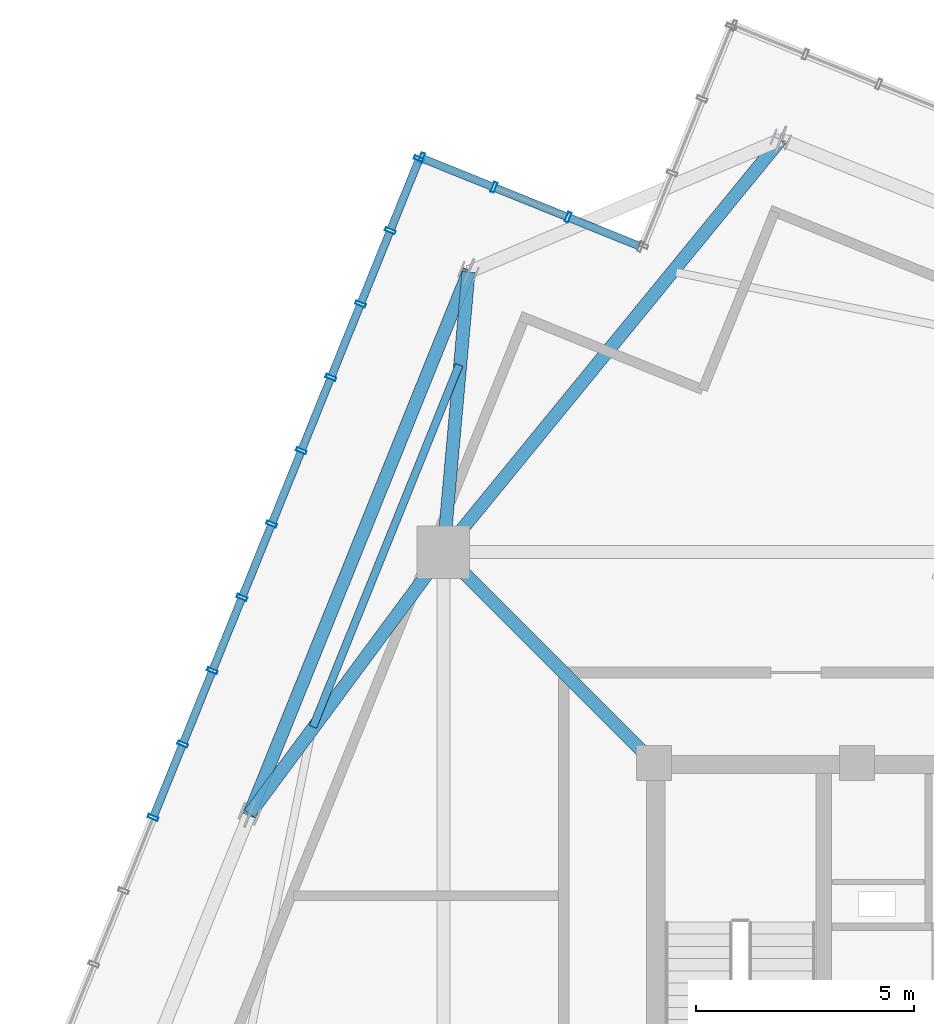
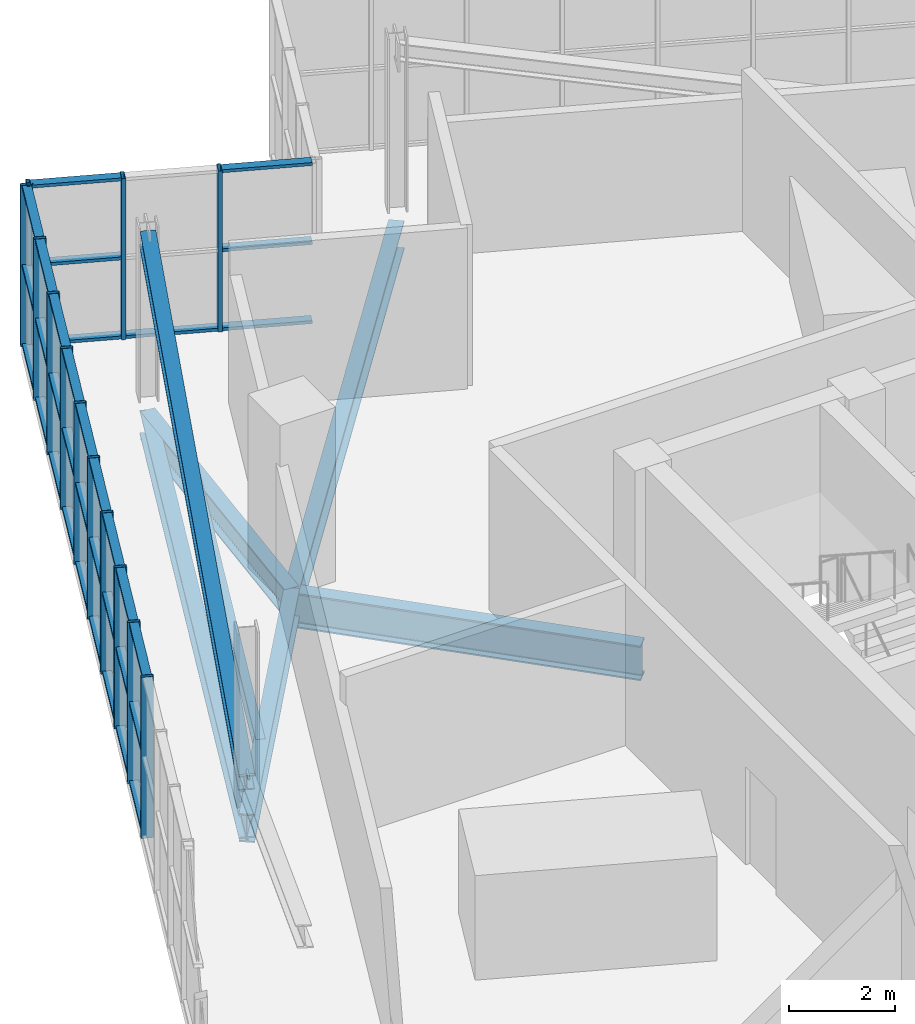
# One storey, part 12 of 26: 48 members, 6 beams, 2 elements without a shape of their own.
"""IFC4 building model written with IfcOpenShell, lengths in metres."""

from ifc_helpers import new_model, si_unit, direction, frame, origin, origin_2d, place, context, subcontext, project, spatial, hollow_rectangle, i_section, extrude, source, transform, mapped, material, layer, layer_set, material_profile, profile_set, type_object, element, aggregate, save


model = new_model("IFC4")

# Units and contexts
model_context = context("Model", 3, precision=1e-05, world=origin(), true_north=direction((0.0, 1.0)))
body_context = subcontext(model_context, "Body", "Model", "MODEL_VIEW")
ifc_project = project(units=[si_unit("LENGTHUNIT", "METRE"), si_unit("AREAUNIT", "SQUARE_METRE"), si_unit("VOLUMEUNIT", "CUBIC_METRE"), si_unit("PLANEANGLEUNIT", "RADIAN"), si_unit("MASSUNIT", "GRAM", prefix="KILO"), si_unit("THERMODYNAMICTEMPERATUREUNIT", "KELVIN")], contexts=[model_context])

# Site, building, storey
site_placement = place(None, origin())
site = spatial("IfcSite", under=ifc_project, at=site_placement, CompositionType="ELEMENT")
building_placement = place(site_placement, origin())
building = spatial("IfcBuilding", under=site, at=building_placement, Name="Kosmvard Interchange Tower", CompositionType="ELEMENT")
storey_placement = place(building_placement, frame((0.0, 0.0, 325.60009765625)))
storey = spatial("IfcBuildingStorey", under=building, at=storey_placement, Name="L80", CompositionType="ELEMENT", Elevation=325.60009765625)

# Beam
ifc_material_1 = material(Name="Steel S355", Category="steel")
ifc_material_profile_1 = material_profile(ifc_material_1, i_section(OverallWidth=0.300048828125, OverallDepth=0.800048828125, WebThickness=0.017578125, FlangeThickness=0.032958984375, FilletRadius=0.027099609375, at=origin_2d()), Name="HEB 800")
ifc_profile_set_1 = profile_set([ifc_material_profile_1], Name="Steel S355")
beam_type_1 = type_object("IfcBeamType", Name="Primary Mega-Frame Girder HEB 800 S355", PredefinedType="BEAM", material=ifc_profile_set_1)
shared_shape_1 = source(origin(), body_context, "Body", "SweptSolid", [
    extrude(i_section(OverallWidth=0.300048828125, OverallDepth=0.800048828125, WebThickness=0.017578125, FlangeThickness=0.032958984375, FilletRadius=0.027099609375, at=origin_2d()), origin(), (0.0, 0.0, 1.0), 6.83203125),
])
beam_1_placement = place(storey_placement, frame((-8.25, 8.25, -0.7001953125), z_axis=(-0.707106781187, 0.707106781187, 0.0), x_axis=(-0.707106781187, -0.707106781187, 0.0)))
element("IfcBeam", 1, at=beam_1_placement, inside=storey, type_object=beam_type_1, Name="L80 Radial Mega-Frame Girder 4", PredefinedType="BEAM", context=body_context, shape_type="MappedRepresentation", body=[
    mapped(shared_shape_1, transform((0.0, 0.0, 0.0), scale=1.0)),
])

# Member
ifc_material_profile_2 = material_profile(ifc_material_1, i_section(OverallWidth=0.300048828125, OverallDepth=0.39990234375, WebThickness=0.013427734375, FlangeThickness=0.02392578125, FilletRadius=0.027099609375, at=origin_2d()), Name="HEB 400")
ifc_profile_set_2 = profile_set([ifc_material_profile_2], Name="Steel S355")
member_type_1 = type_object("IfcMemberType", Name="Lantern Crown Diagrid Brace HEB 400 S355", PredefinedType="BRACE", material=ifc_profile_set_2)
shared_shape_2 = source(origin(), body_context, "Body", "SweptSolid", [
    extrude(i_section(OverallWidth=0.300048828125, OverallDepth=0.39990234375, WebThickness=0.013427734375, FlangeThickness=0.02392578125, FilletRadius=0.027099609375, at=origin_2d()), origin(), (0.0, 0.0, 1.0), 13.78369140625),
])
member_1_placement = place(storey_placement, frame((-17.523681640625, 7.080078125, 0.419921875), z_axis=(0.364162635972, 0.901373372792, 0.234332279859), x_axis=(-0.927189515839, 0.374592580972, 0.0)))
element("IfcMember", 2, at=member_1_placement, inside=storey, type_object=member_type_1, Name="L80 Crown Lantern Diagrid Brace N1", PredefinedType="BRACE", context=body_context, shape_type="MappedRepresentation", body=[
    mapped(shared_shape_2, transform((0.0, 0.0, 0.0), scale=1.0)),
])

# Beams
ifc_material_profile_3 = material_profile(ifc_material_1, i_section(OverallWidth=0.300048828125, OverallDepth=0.550048828125, WebThickness=0.014892578125, FlangeThickness=0.029052734375, FilletRadius=0.027099609375, at=origin_2d()), Name="HEB 550")
ifc_profile_set_3 = profile_set([ifc_material_profile_3], Name="Steel S355")
beam_type_2 = type_object("IfcBeamType", Name="Crown Ring Cap Girder HEB 550 S355", PredefinedType="BEAM", material=ifc_profile_set_3)
shared_shape_3 = source(origin(), body_context, "Body", "SweptSolid", [
    extrude(i_section(OverallWidth=0.300048828125, OverallDepth=0.550048828125, WebThickness=0.014892578125, FlangeThickness=0.029052734375, FilletRadius=0.027099609375, at=origin_2d()), origin(), (0.0, 0.0, 1.0), 13.39990234375),
])
beam_2_placement = place(storey_placement, frame((-12.504150390625, 19.50439453125, -0.5751953125), z_axis=(-0.374592580972, -0.927189515839, 0.0), x_axis=(0.927189515839, -0.374592580972, 0.0)))
element("IfcBeam", 3, at=beam_2_placement, inside=storey, type_object=beam_type_2, Name="BM-L80-PR07", PredefinedType="BEAM", context=body_context, shape_type="MappedRepresentation", body=[
    mapped(shared_shape_3, transform((0.0, 0.0, 0.0), scale=1.0)),
])
ifc_material_profile_4 = material_profile(ifc_material_1, i_section(OverallWidth=0.300048828125, OverallDepth=0.64990234375, WebThickness=0.01611328125, FlangeThickness=0.031005859375, FilletRadius=0.027099609375, at=origin_2d()), Name="HEB 650")
ifc_profile_set_4 = profile_set([ifc_material_profile_4], Name="Steel S355")
beam_type_3 = type_object("IfcBeamType", Name="Primary Floor Girder HEB 650 S355", PredefinedType="BEAM", material=ifc_profile_set_4)
shared_shape_4 = source(origin(), body_context, "Body", "SweptSolid", [
    extrude(i_section(OverallWidth=0.300048828125, OverallDepth=0.64990234375, WebThickness=0.01611328125, FlangeThickness=0.031005859375, FilletRadius=0.027099609375, at=origin_2d()), origin(), (0.0, 0.0, 1.0), 6.44921875),
])
beam_3_placement = place(storey_placement, frame((-13.0810546875, 13.0810546875, -0.625), z_axis=(0.089453694068, 0.995990982197, 0.0), x_axis=(-0.995990982197, 0.089453694068, 0.0)))
element("IfcBeam", 4, at=beam_3_placement, inside=storey, type_object=beam_type_3, Name="BM-L80-RD07", PredefinedType="BEAM", context=body_context, shape_type="MappedRepresentation", body=[
    mapped(shared_shape_4, transform((0.0, 0.0, 0.0), scale=1.0)),
])
shared_shape_5 = source(origin(), body_context, "Body", "SweptSolid", [
    extrude(i_section(OverallWidth=0.300048828125, OverallDepth=0.64990234375, WebThickness=0.01611328125, FlangeThickness=0.031005859375, FilletRadius=0.027099609375, at=origin_2d()), origin(), (0.0, 0.0, 1.0), 7.466552734375),
])
beam_4_placement = place(storey_placement, frame((-13.0810546875, 13.0810546875, -0.625), z_axis=(-0.595007793491, -0.803719929879, 0.0), x_axis=(0.803719929879, -0.595007793491, 0.0)))
element("IfcBeam", 5, at=beam_4_placement, inside=storey, type_object=beam_type_3, Name="BM-L80-RD08", PredefinedType="BEAM", context=body_context, shape_type="MappedRepresentation", body=[
    mapped(shared_shape_5, transform((0.0, 0.0, 0.0), scale=1.0)),
])
shared_shape_6 = source(origin(), body_context, "Body", "SweptSolid", [
    extrude(i_section(OverallWidth=0.300048828125, OverallDepth=0.64990234375, WebThickness=0.01611328125, FlangeThickness=0.031005859375, FilletRadius=0.027099609375, at=origin_2d()), origin(), (0.0, 0.0, 1.0), 12.22265625),
])
beam_5_placement = place(storey_placement, frame((-13.0810546875, 13.0810546875, -0.625), z_axis=(0.632985408079, 0.774163725034, 0.0), x_axis=(-0.774163725034, 0.632985408079, 0.0)))
element("IfcBeam", 6, at=beam_5_placement, inside=storey, type_object=beam_type_3, Name="BM-L80-RD06", PredefinedType="BEAM", context=body_context, shape_type="MappedRepresentation", body=[
    mapped(shared_shape_6, transform((0.0, 0.0, 0.0), scale=1.0)),
])
ifc_material_profile_5 = material_profile(ifc_material_1, i_section(OverallWidth=0.179931640625, OverallDepth=0.39990234375, WebThickness=0.008544921875, FlangeThickness=0.013427734375, FilletRadius=0.02099609375, at=origin_2d()), Name="IPE 400")
ifc_profile_set_5 = profile_set([ifc_material_profile_5], Name="Steel S355")
beam_type_4 = type_object("IfcBeamType", Name="Upper-Zone Floor Joist IPE 400 S355", PredefinedType="JOIST", material=ifc_profile_set_5)
shared_shape_7 = source(origin(), body_context, "Body", "SweptSolid", [
    extrude(i_section(OverallWidth=0.179931640625, OverallDepth=0.39990234375, WebThickness=0.008544921875, FlangeThickness=0.013427734375, FilletRadius=0.02099609375, at=origin_2d()), origin(), (0.0, 0.0, 1.0), 8.9521484375),
])
beam_6_placement = place(storey_placement, frame((-12.71875, 17.374755859375, -0.5), z_axis=(-0.374581187736, -0.927194118723, 0.0), x_axis=(0.927194118723, -0.374581187736, 0.0)))
element("IfcBeam", 7, at=beam_6_placement, inside=storey, type_object=beam_type_4, Name="BM-L80-FJ05", PredefinedType="JOIST", context=body_context, shape_type="MappedRepresentation", body=[
    mapped(shared_shape_7, transform((0.0, 0.0, 0.0), scale=1.0)),
])

# Curtain wall, members
ifc_material_2 = material(Name="Architectural anodised aluminium", Category="aluminium")
ifc_layer = layer(ifc_material_2, 0.25, Name="Architectural anodised aluminium")
ifc_layer_set = layer_set([ifc_layer], Name="Architectural anodised aluminium")
curtain_wall_type = type_object("IfcCurtainWallType", Name="CW-6 Illuminated Crown Lantern Curtain Wall", PredefinedType="NOTDEFINED", material=ifc_layer_set)
curtain_wall_1_placement = place(storey_placement, origin())
curtain_wall_1 = element("IfcCurtainWall", 8, at=curtain_wall_1_placement, inside=storey, type_object=curtain_wall_type, Name="L80 Crown Lantern Glazing Face 06", PredefinedType="NOTDEFINED")
ifc_material_profile_6 = material_profile(ifc_material_2, hollow_rectangle(XDim=0.239990234375, YDim=0.080078125, WallThickness=0.006103515625, at=origin_2d()), Name="CWM 240x80x6")
ifc_profile_set_6 = profile_set([ifc_material_profile_6], Name="Architectural anodised aluminium")
member_type_2 = type_object("IfcMemberType", Name="Lantern & Observation CW Mullion 240x80 Aluminium", PredefinedType="MULLION", material=ifc_profile_set_6)
shared_shape_8 = source(origin(), body_context, "Body", "SweptSolid", [
    extrude(hollow_rectangle(XDim=0.239990234375, YDim=0.080078125, WallThickness=0.006103515625, at=origin_2d()), origin(), (0.0, 0.0, 1.0), 3.699951171875),
])
member_2_placement = place(storey_placement, frame((-10.220458984375, 20.760498046875, 0.0), z_axis=(0.0, 0.0, 1.0), x_axis=(-0.374606501678, -0.927183891631, 0.0)))
member_2 = element("IfcMember", 9, at=member_2_placement, type_object=member_type_2, Name="CW-6 mullion 2", PredefinedType="MULLION", context=body_context, shape_type="MappedRepresentation", body=[
    mapped(shared_shape_8, transform((0.0, 0.0, 0.0), scale=1.0)),
])
member_3_placement = place(storey_placement, frame((-11.92041015625, 21.447265625, 0.0), z_axis=(0.0, 0.0, 1.0), x_axis=(-0.374606501678, -0.927183891631, 0.0)))
member_3 = element("IfcMember", 10, at=member_3_placement, type_object=member_type_2, Name="CW-6 mullion 3", PredefinedType="MULLION", context=body_context, shape_type="MappedRepresentation", body=[
    mapped(shared_shape_8, transform((0.0, 0.0, 0.0), scale=1.0)),
])
member_4_placement = place(storey_placement, frame((-13.583251953125, 22.118896484375, 0.0), z_axis=(0.0, 0.0, 1.0), x_axis=(-0.374606501678, -0.927183891631, 0.0)))
member_4 = element("IfcMember", 11, at=member_4_placement, type_object=member_type_2, Name="CW-6 mullion 4", PredefinedType="MULLION", context=body_context, shape_type="MappedRepresentation", body=[
    mapped(shared_shape_8, transform((0.0, 0.0, 0.0), scale=1.0)),
])

curtain_wall_2_placement = place(storey_placement, origin())
curtain_wall_2 = element("IfcCurtainWall", 12, at=curtain_wall_2_placement, inside=storey, type_object=curtain_wall_type, Name="L80 Crown Lantern Glazing Face 07", PredefinedType="NOTDEFINED")
member_5_placement = place(storey_placement, frame((-13.63525390625, 22.096923828125, 0.0), z_axis=(0.0, 0.0, 1.0), x_axis=(0.927183858065, -0.374606584758, 0.0)))
member_5 = element("IfcMember", 13, at=member_5_placement, type_object=member_type_2, Name="CW-6 mullion 1", PredefinedType="MULLION", context=body_context, shape_type="MappedRepresentation", body=[
    mapped(shared_shape_8, transform((0.0, 0.0, 0.0), scale=1.0)),
])
member_6_placement = place(storey_placement, frame((-14.2998046875, 20.451904296875, 0.0), z_axis=(0.0, 0.0, 1.0), x_axis=(0.927183858065, -0.374606584758, 0.0)))
member_6 = element("IfcMember", 14, at=member_6_placement, type_object=member_type_2, Name="CW-6 mullion 2", PredefinedType="MULLION", context=body_context, shape_type="MappedRepresentation", body=[
    mapped(shared_shape_8, transform((0.0, 0.0, 0.0), scale=1.0)),
])
member_7_placement = place(storey_placement, frame((-14.9794921875, 18.77001953125, 0.0), z_axis=(0.0, 0.0, 1.0), x_axis=(0.927183858065, -0.374606584758, 0.0)))
member_7 = element("IfcMember", 15, at=member_7_placement, type_object=member_type_2, Name="CW-6 mullion 3", PredefinedType="MULLION", context=body_context, shape_type="MappedRepresentation", body=[
    mapped(shared_shape_8, transform((0.0, 0.0, 0.0), scale=1.0)),
])
member_8_placement = place(storey_placement, frame((-15.658935546875, 17.087890625, 0.0), z_axis=(0.0, 0.0, 1.0), x_axis=(0.927183858065, -0.374606584758, 0.0)))
member_8 = element("IfcMember", 16, at=member_8_placement, type_object=member_type_2, Name="CW-6 mullion 4", PredefinedType="MULLION", context=body_context, shape_type="MappedRepresentation", body=[
    mapped(shared_shape_8, transform((0.0, 0.0, 0.0), scale=1.0)),
])
member_9_placement = place(storey_placement, frame((-16.338623046875, 15.40576171875, 0.0), z_axis=(0.0, 0.0, 1.0), x_axis=(0.927183858065, -0.374606584758, 0.0)))
member_9 = element("IfcMember", 17, at=member_9_placement, type_object=member_type_2, Name="CW-6 mullion 5", PredefinedType="MULLION", context=body_context, shape_type="MappedRepresentation", body=[
    mapped(shared_shape_8, transform((0.0, 0.0, 0.0), scale=1.0)),
])
member_10_placement = place(storey_placement, frame((-17.01806640625, 13.723876953125, 0.0), z_axis=(0.0, 0.0, 1.0), x_axis=(0.927183858065, -0.374606584758, 0.0)))
member_10 = element("IfcMember", 18, at=member_10_placement, type_object=member_type_2, Name="CW-6 mullion 6", PredefinedType="MULLION", context=body_context, shape_type="MappedRepresentation", body=[
    mapped(shared_shape_8, transform((0.0, 0.0, 0.0), scale=1.0)),
])
member_11_placement = place(storey_placement, frame((-17.69775390625, 12.041748046875, 0.0), z_axis=(0.0, 0.0, 1.0), x_axis=(0.927183858065, -0.374606584758, 0.0)))
member_11 = element("IfcMember", 19, at=member_11_placement, type_object=member_type_2, Name="CW-6 mullion 7", PredefinedType="MULLION", context=body_context, shape_type="MappedRepresentation", body=[
    mapped(shared_shape_8, transform((0.0, 0.0, 0.0), scale=1.0)),
])
member_12_placement = place(storey_placement, frame((-18.377197265625, 10.35986328125, 0.0), z_axis=(0.0, 0.0, 1.0), x_axis=(0.927183858065, -0.374606584758, 0.0)))
member_12 = element("IfcMember", 20, at=member_12_placement, type_object=member_type_2, Name="CW-6 mullion 8", PredefinedType="MULLION", context=body_context, shape_type="MappedRepresentation", body=[
    mapped(shared_shape_8, transform((0.0, 0.0, 0.0), scale=1.0)),
])
member_13_placement = place(storey_placement, frame((-19.056884765625, 8.677734375, 0.0), z_axis=(0.0, 0.0, 1.0), x_axis=(0.927183858065, -0.374606584758, 0.0)))
member_13 = element("IfcMember", 21, at=member_13_placement, type_object=member_type_2, Name="CW-6 mullion 9", PredefinedType="MULLION", context=body_context, shape_type="MappedRepresentation", body=[
    mapped(shared_shape_8, transform((0.0, 0.0, 0.0), scale=1.0)),
])
member_14_placement = place(storey_placement, frame((-19.736572265625, 6.995849609375, 0.0), z_axis=(0.0, 0.0, 1.0), x_axis=(0.927183858065, -0.374606584758, 0.0)))
member_14 = element("IfcMember", 22, at=member_14_placement, type_object=member_type_2, Name="CW-6 mullion 10", PredefinedType="MULLION", context=body_context, shape_type="MappedRepresentation", body=[
    mapped(shared_shape_8, transform((0.0, 0.0, 0.0), scale=1.0)),
])
ifc_material_profile_7 = material_profile(ifc_material_2, hollow_rectangle(XDim=0.179931640625, YDim=0.070068359375, WallThickness=0.0048828125, at=origin_2d()), Name="CWT 180x70x5")
ifc_profile_set_7 = profile_set([ifc_material_profile_7], Name="Architectural anodised aluminium")
member_type_3 = type_object("IfcMemberType", Name="Heavy Lantern CW Transom 180x70 Aluminium", PredefinedType="USERDEFINED", material=ifc_profile_set_7)
shared_shape_9 = source(origin(), body_context, "Body", "SweptSolid", [
    extrude(hollow_rectangle(XDim=0.179931640625, YDim=0.070068359375, WallThickness=0.0048828125, at=origin_2d()), origin(), (0.0, 0.0, 1.0), 1.694091796875),
])
member_15_placement = place(storey_placement, frame((-13.650146484375, 22.059814453125, 0.034912109375), z_axis=(-0.374667946298, -0.927159064032, 0.0), x_axis=(0.927159064032, -0.374667946298, 0.0)))
member_15 = element("IfcMember", 23, at=member_15_placement, type_object=member_type_3, Name="CW-6 transom 1.1", ObjectType="TRANSOM", PredefinedType="USERDEFINED", context=body_context, shape_type="MappedRepresentation", body=[
    mapped(shared_shape_9, transform((0.0, 0.0, 0.0), scale=1.0)),
])
member_16_placement = place(storey_placement, frame((-13.650146484375, 22.059814453125, 1.849853515625), z_axis=(-0.374667946298, -0.927159064032, 0.0), x_axis=(0.927159064032, -0.374667946298, 0.0)))
member_16 = element("IfcMember", 24, at=member_16_placement, type_object=member_type_3, Name="CW-6 transom 1.2", ObjectType="TRANSOM", PredefinedType="USERDEFINED", context=body_context, shape_type="MappedRepresentation", body=[
    mapped(shared_shape_9, transform((0.0, 0.0, 0.0), scale=1.0)),
])
member_17_placement = place(storey_placement, frame((-13.650146484375, 22.059814453125, 3.664794921875), z_axis=(-0.374667946298, -0.927159064032, 0.0), x_axis=(0.927159064032, -0.374667946298, 0.0)))
member_17 = element("IfcMember", 25, at=member_17_placement, type_object=member_type_3, Name="CW-6 transom 1.3", ObjectType="TRANSOM", PredefinedType="USERDEFINED", context=body_context, shape_type="MappedRepresentation", body=[
    mapped(shared_shape_9, transform((0.0, 0.0, 0.0), scale=1.0)),
])
shared_shape_10 = source(origin(), body_context, "Body", "SweptSolid", [
    extrude(hollow_rectangle(XDim=0.179931640625, YDim=0.070068359375, WallThickness=0.0048828125, at=origin_2d()), origin(), (0.0, 0.0, 1.0), 1.734130859375),
])
member_18_placement = place(storey_placement, frame((-14.314697265625, 20.414794921875, 0.034912109375), z_axis=(-0.374616671924, -0.927179782522, 0.0), x_axis=(0.927179782522, -0.374616671924, 0.0)))
member_18 = element("IfcMember", 26, at=member_18_placement, type_object=member_type_3, Name="CW-6 transom 2.1", ObjectType="TRANSOM", PredefinedType="USERDEFINED", context=body_context, shape_type="MappedRepresentation", body=[
    mapped(shared_shape_10, transform((0.0, 0.0, 0.0), scale=1.0)),
])
member_19_placement = place(storey_placement, frame((-14.314697265625, 20.414794921875, 1.849853515625), z_axis=(-0.374616671924, -0.927179782522, 0.0), x_axis=(0.927179782522, -0.374616671924, 0.0)))
member_19 = element("IfcMember", 27, at=member_19_placement, type_object=member_type_3, Name="CW-6 transom 2.2", ObjectType="TRANSOM", PredefinedType="USERDEFINED", context=body_context, shape_type="MappedRepresentation", body=[
    mapped(shared_shape_10, transform((0.0, 0.0, 0.0), scale=1.0)),
])
member_20_placement = place(storey_placement, frame((-14.314697265625, 20.414794921875, 3.664794921875), z_axis=(-0.374616671924, -0.927179782522, 0.0), x_axis=(0.927179782522, -0.374616671924, 0.0)))
member_20 = element("IfcMember", 28, at=member_20_placement, type_object=member_type_3, Name="CW-6 transom 2.3", ObjectType="TRANSOM", PredefinedType="USERDEFINED", context=body_context, shape_type="MappedRepresentation", body=[
    mapped(shared_shape_10, transform((0.0, 0.0, 0.0), scale=1.0)),
])
member_21_placement = place(storey_placement, frame((-14.994384765625, 18.73291015625, 0.034912109375), z_axis=(-0.374616671924, -0.927179782522, 0.0), x_axis=(0.927179782522, -0.374616671924, 0.0)))
member_21 = element("IfcMember", 29, at=member_21_placement, type_object=member_type_3, Name="CW-6 transom 3.1", ObjectType="TRANSOM", PredefinedType="USERDEFINED", context=body_context, shape_type="MappedRepresentation", body=[
    mapped(shared_shape_10, transform((0.0, 0.0, 0.0), scale=1.0)),
])
member_22_placement = place(storey_placement, frame((-14.994384765625, 18.73291015625, 1.849853515625), z_axis=(-0.374616671924, -0.927179782522, 0.0), x_axis=(0.927179782522, -0.374616671924, 0.0)))
member_22 = element("IfcMember", 30, at=member_22_placement, type_object=member_type_3, Name="CW-6 transom 3.2", ObjectType="TRANSOM", PredefinedType="USERDEFINED", context=body_context, shape_type="MappedRepresentation", body=[
    mapped(shared_shape_10, transform((0.0, 0.0, 0.0), scale=1.0)),
])
member_23_placement = place(storey_placement, frame((-14.994384765625, 18.73291015625, 3.664794921875), z_axis=(-0.374616671924, -0.927179782522, 0.0), x_axis=(0.927179782522, -0.374616671924, 0.0)))
member_23 = element("IfcMember", 31, at=member_23_placement, type_object=member_type_3, Name="CW-6 transom 3.3", ObjectType="TRANSOM", PredefinedType="USERDEFINED", context=body_context, shape_type="MappedRepresentation", body=[
    mapped(shared_shape_10, transform((0.0, 0.0, 0.0), scale=1.0)),
])
member_24_placement = place(storey_placement, frame((-15.674072265625, 17.05078125, 0.034912109375), z_axis=(-0.374495638732, -0.927228675447, 0.0), x_axis=(0.927228675447, -0.374495638732, 0.0)))
member_24 = element("IfcMember", 32, at=member_24_placement, type_object=member_type_3, Name="CW-6 transom 4.1", ObjectType="TRANSOM", PredefinedType="USERDEFINED", context=body_context, shape_type="MappedRepresentation", body=[
    mapped(shared_shape_10, transform((0.0, 0.0, 0.0), scale=1.0)),
])
member_25_placement = place(storey_placement, frame((-15.674072265625, 17.05078125, 1.849853515625), z_axis=(-0.374495638732, -0.927228675447, 0.0), x_axis=(0.927228675447, -0.374495638732, 0.0)))
member_25 = element("IfcMember", 33, at=member_25_placement, type_object=member_type_3, Name="CW-6 transom 4.2", ObjectType="TRANSOM", PredefinedType="USERDEFINED", context=body_context, shape_type="MappedRepresentation", body=[
    mapped(shared_shape_10, transform((0.0, 0.0, 0.0), scale=1.0)),
])
member_26_placement = place(storey_placement, frame((-15.674072265625, 17.05078125, 3.664794921875), z_axis=(-0.374495638732, -0.927228675447, 0.0), x_axis=(0.927228675447, -0.374495638732, 0.0)))
member_26 = element("IfcMember", 34, at=member_26_placement, type_object=member_type_3, Name="CW-6 transom 4.3", ObjectType="TRANSOM", PredefinedType="USERDEFINED", context=body_context, shape_type="MappedRepresentation", body=[
    mapped(shared_shape_10, transform((0.0, 0.0, 0.0), scale=1.0)),
])
member_27_placement = place(storey_placement, frame((-16.353515625, 15.368896484375, 0.034912109375), z_axis=(-0.374616671924, -0.927179782522, 0.0), x_axis=(0.927179782522, -0.374616671924, 0.0)))
member_27 = element("IfcMember", 35, at=member_27_placement, type_object=member_type_3, Name="CW-6 transom 5.1", ObjectType="TRANSOM", PredefinedType="USERDEFINED", context=body_context, shape_type="MappedRepresentation", body=[
    mapped(shared_shape_10, transform((0.0, 0.0, 0.0), scale=1.0)),
])
member_28_placement = place(storey_placement, frame((-16.353515625, 15.368896484375, 1.849853515625), z_axis=(-0.374616671924, -0.927179782522, 0.0), x_axis=(0.927179782522, -0.374616671924, 0.0)))
member_28 = element("IfcMember", 36, at=member_28_placement, type_object=member_type_3, Name="CW-6 transom 5.2", ObjectType="TRANSOM", PredefinedType="USERDEFINED", context=body_context, shape_type="MappedRepresentation", body=[
    mapped(shared_shape_10, transform((0.0, 0.0, 0.0), scale=1.0)),
])
member_29_placement = place(storey_placement, frame((-16.353515625, 15.368896484375, 3.664794921875), z_axis=(-0.374616671924, -0.927179782522, 0.0), x_axis=(0.927179782522, -0.374616671924, 0.0)))
member_29 = element("IfcMember", 37, at=member_29_placement, type_object=member_type_3, Name="CW-6 transom 5.3", ObjectType="TRANSOM", PredefinedType="USERDEFINED", context=body_context, shape_type="MappedRepresentation", body=[
    mapped(shared_shape_10, transform((0.0, 0.0, 0.0), scale=1.0)),
])
member_30_placement = place(storey_placement, frame((-17.033203125, 13.686767578125, 0.034912109375), z_axis=(-0.374616671924, -0.927179782522, 0.0), x_axis=(0.927179782522, -0.374616671924, 0.0)))
member_30 = element("IfcMember", 38, at=member_30_placement, type_object=member_type_3, Name="CW-6 transom 6.1", ObjectType="TRANSOM", PredefinedType="USERDEFINED", context=body_context, shape_type="MappedRepresentation", body=[
    mapped(shared_shape_10, transform((0.0, 0.0, 0.0), scale=1.0)),
])
member_31_placement = place(storey_placement, frame((-17.033203125, 13.686767578125, 1.849853515625), z_axis=(-0.374616671924, -0.927179782522, 0.0), x_axis=(0.927179782522, -0.374616671924, 0.0)))
member_31 = element("IfcMember", 39, at=member_31_placement, type_object=member_type_3, Name="CW-6 transom 6.2", ObjectType="TRANSOM", PredefinedType="USERDEFINED", context=body_context, shape_type="MappedRepresentation", body=[
    mapped(shared_shape_10, transform((0.0, 0.0, 0.0), scale=1.0)),
])
member_32_placement = place(storey_placement, frame((-17.033203125, 13.686767578125, 3.664794921875), z_axis=(-0.374616671924, -0.927179782522, 0.0), x_axis=(0.927179782522, -0.374616671924, 0.0)))
member_32 = element("IfcMember", 40, at=member_32_placement, type_object=member_type_3, Name="CW-6 transom 6.3", ObjectType="TRANSOM", PredefinedType="USERDEFINED", context=body_context, shape_type="MappedRepresentation", body=[
    mapped(shared_shape_10, transform((0.0, 0.0, 0.0), scale=1.0)),
])
member_33_placement = place(storey_placement, frame((-18.392333984375, 10.32275390625, 0.034912109375), z_axis=(-0.374616671924, -0.927179782522, 0.0), x_axis=(0.927179782522, -0.374616671924, 0.0)))
member_33 = element("IfcMember", 41, at=member_33_placement, type_object=member_type_3, Name="CW-6 transom 8.1", ObjectType="TRANSOM", PredefinedType="USERDEFINED", context=body_context, shape_type="MappedRepresentation", body=[
    mapped(shared_shape_10, transform((0.0, 0.0, 0.0), scale=1.0)),
])
member_34_placement = place(storey_placement, frame((-18.392333984375, 10.32275390625, 1.849853515625), z_axis=(-0.374616671924, -0.927179782522, 0.0), x_axis=(0.927179782522, -0.374616671924, 0.0)))
member_34 = element("IfcMember", 42, at=member_34_placement, type_object=member_type_3, Name="CW-6 transom 8.2", ObjectType="TRANSOM", PredefinedType="USERDEFINED", context=body_context, shape_type="MappedRepresentation", body=[
    mapped(shared_shape_10, transform((0.0, 0.0, 0.0), scale=1.0)),
])
member_35_placement = place(storey_placement, frame((-18.392333984375, 10.32275390625, 3.664794921875), z_axis=(-0.374616671924, -0.927179782522, 0.0), x_axis=(0.927179782522, -0.374616671924, 0.0)))
member_35 = element("IfcMember", 43, at=member_35_placement, type_object=member_type_3, Name="CW-6 transom 8.3", ObjectType="TRANSOM", PredefinedType="USERDEFINED", context=body_context, shape_type="MappedRepresentation", body=[
    mapped(shared_shape_10, transform((0.0, 0.0, 0.0), scale=1.0)),
])
shared_shape_11 = source(origin(), body_context, "Body", "SweptSolid", [
    extrude(hollow_rectangle(XDim=0.179931640625, YDim=0.070068359375, WallThickness=0.0048828125, at=origin_2d()), origin(), (0.0, 0.0, 1.0), 1.73388671875),
])
member_36_placement = place(storey_placement, frame((-17.712646484375, 12.004638671875, 0.034912109375), z_axis=(-0.374665576032, -0.927160021861, 0.0), x_axis=(0.927160021861, -0.374665576032, 0.0)))
member_36 = element("IfcMember", 44, at=member_36_placement, type_object=member_type_3, Name="CW-6 transom 7.1", ObjectType="TRANSOM", PredefinedType="USERDEFINED", context=body_context, shape_type="MappedRepresentation", body=[
    mapped(shared_shape_11, transform((0.0, 0.0, 0.0), scale=1.0)),
])
member_37_placement = place(storey_placement, frame((-17.712646484375, 12.004638671875, 1.849853515625), z_axis=(-0.374665576032, -0.927160021861, 0.0), x_axis=(0.927160021861, -0.374665576032, 0.0)))
member_37 = element("IfcMember", 45, at=member_37_placement, type_object=member_type_3, Name="CW-6 transom 7.2", ObjectType="TRANSOM", PredefinedType="USERDEFINED", context=body_context, shape_type="MappedRepresentation", body=[
    mapped(shared_shape_11, transform((0.0, 0.0, 0.0), scale=1.0)),
])
member_38_placement = place(storey_placement, frame((-17.712646484375, 12.004638671875, 3.664794921875), z_axis=(-0.374665576032, -0.927160021861, 0.0), x_axis=(0.927160021861, -0.374665576032, 0.0)))
member_38 = element("IfcMember", 46, at=member_38_placement, type_object=member_type_3, Name="CW-6 transom 7.3", ObjectType="TRANSOM", PredefinedType="USERDEFINED", context=body_context, shape_type="MappedRepresentation", body=[
    mapped(shared_shape_11, transform((0.0, 0.0, 0.0), scale=1.0)),
])
member_39_placement = place(storey_placement, frame((-19.07177734375, 8.640625, 0.034912109375), z_axis=(-0.374665576032, -0.927160021861, 0.0), x_axis=(0.927160021861, -0.374665576032, 0.0)))
member_39 = element("IfcMember", 47, at=member_39_placement, type_object=member_type_3, Name="CW-6 transom 9.1", ObjectType="TRANSOM", PredefinedType="USERDEFINED", context=body_context, shape_type="MappedRepresentation", body=[
    mapped(shared_shape_11, transform((0.0, 0.0, 0.0), scale=1.0)),
])
member_40_placement = place(storey_placement, frame((-19.07177734375, 8.640625, 1.849853515625), z_axis=(-0.374665576032, -0.927160021861, 0.0), x_axis=(0.927160021861, -0.374665576032, 0.0)))
member_40 = element("IfcMember", 48, at=member_40_placement, type_object=member_type_3, Name="CW-6 transom 9.2", ObjectType="TRANSOM", PredefinedType="USERDEFINED", context=body_context, shape_type="MappedRepresentation", body=[
    mapped(shared_shape_11, transform((0.0, 0.0, 0.0), scale=1.0)),
])
member_41_placement = place(storey_placement, frame((-19.07177734375, 8.640625, 3.664794921875), z_axis=(-0.374665576032, -0.927160021861, 0.0), x_axis=(0.927160021861, -0.374665576032, 0.0)))
member_41 = element("IfcMember", 49, at=member_41_placement, type_object=member_type_3, Name="CW-6 transom 9.3", ObjectType="TRANSOM", PredefinedType="USERDEFINED", context=body_context, shape_type="MappedRepresentation", body=[
    mapped(shared_shape_11, transform((0.0, 0.0, 0.0), scale=1.0)),
])
aggregate(curtain_wall_2, [member_5, member_6, member_7, member_8, member_9, member_10, member_11, member_12, member_13, member_14, member_15, member_16, member_17, member_18, member_19, member_20, member_21, member_22, member_23, member_24, member_25, member_26, member_27, member_28, member_29, member_30, member_31, member_32, member_36, member_37, member_38, member_33, member_34, member_35, member_39, member_40, member_41])

# Member
shared_shape_12 = source(origin(), body_context, "Body", "SweptSolid", [
    extrude(hollow_rectangle(XDim=0.179931640625, YDim=0.070068359375, WallThickness=0.0048828125, at=origin_2d()), origin(), (0.0, 0.0, 1.0), 1.71337890625),
])
member_42_placement = place(storey_placement, frame((-8.594970703125, 20.103515625, 0.034912109375), z_axis=(-0.927183787829, 0.374606758599, 0.0), x_axis=(-0.374606758599, -0.927183787829, 0.0)))
member_42 = element("IfcMember", 50, at=member_42_placement, type_object=member_type_3, Name="CW-6 transom 1.1", ObjectType="TRANSOM", PredefinedType="USERDEFINED", context=body_context, shape_type="MappedRepresentation", body=[
    mapped(shared_shape_12, transform((0.0, 0.0, 0.0), scale=1.0)),
])

member_43_placement = place(storey_placement, frame((-8.594970703125, 20.103515625, 1.849853515625), z_axis=(-0.927183787829, 0.374606758599, 0.0), x_axis=(-0.374606758599, -0.927183787829, 0.0)))
member_43 = element("IfcMember", 51, at=member_43_placement, type_object=member_type_3, Name="CW-6 transom 1.2", ObjectType="TRANSOM", PredefinedType="USERDEFINED", context=body_context, shape_type="MappedRepresentation", body=[
    mapped(shared_shape_12, transform((0.0, 0.0, 0.0), scale=1.0)),
])

member_44_placement = place(storey_placement, frame((-8.594970703125, 20.103515625, 3.664794921875), z_axis=(-0.927183787829, 0.374606758599, 0.0), x_axis=(-0.374606758599, -0.927183787829, 0.0)))
member_44 = element("IfcMember", 52, at=member_44_placement, type_object=member_type_3, Name="CW-6 transom 1.3", ObjectType="TRANSOM", PredefinedType="USERDEFINED", context=body_context, shape_type="MappedRepresentation", body=[
    mapped(shared_shape_12, transform((0.0, 0.0, 0.0), scale=1.0)),
])

member_45_placement = place(storey_placement, frame((-11.95751953125, 21.462158203125, 0.034912109375), z_axis=(-0.927183787829, 0.374606758599, 0.0), x_axis=(-0.374606758599, -0.927183787829, 0.0)))
member_45 = element("IfcMember", 53, at=member_45_placement, type_object=member_type_3, Name="CW-6 transom 3.1", ObjectType="TRANSOM", PredefinedType="USERDEFINED", context=body_context, shape_type="MappedRepresentation", body=[
    mapped(shared_shape_12, transform((0.0, 0.0, 0.0), scale=1.0)),
])

member_46_placement = place(storey_placement, frame((-11.95751953125, 21.462158203125, 1.849853515625), z_axis=(-0.927183787829, 0.374606758599, 0.0), x_axis=(-0.374606758599, -0.927183787829, 0.0)))
member_46 = element("IfcMember", 54, at=member_46_placement, type_object=member_type_3, Name="CW-6 transom 3.2", ObjectType="TRANSOM", PredefinedType="USERDEFINED", context=body_context, shape_type="MappedRepresentation", body=[
    mapped(shared_shape_12, transform((0.0, 0.0, 0.0), scale=1.0)),
])

member_47_placement = place(storey_placement, frame((-11.95751953125, 21.462158203125, 3.664794921875), z_axis=(-0.927183787829, 0.374606758599, 0.0), x_axis=(-0.374606758599, -0.927183787829, 0.0)))
member_47 = element("IfcMember", 55, at=member_47_placement, type_object=member_type_3, Name="CW-6 transom 3.3", ObjectType="TRANSOM", PredefinedType="USERDEFINED", context=body_context, shape_type="MappedRepresentation", body=[
    mapped(shared_shape_12, transform((0.0, 0.0, 0.0), scale=1.0)),
])

shared_shape_13 = source(origin(), body_context, "Body", "SweptSolid", [
    extrude(hollow_rectangle(XDim=0.179931640625, YDim=0.070068359375, WallThickness=0.0048828125, at=origin_2d()), origin(), (0.0, 0.0, 1.0), 1.75341796875),
])
member_48_placement = place(storey_placement, frame((-10.257568359375, 20.775390625, 0.034912109375), z_axis=(-0.927203712676, 0.37455743912, 0.0), x_axis=(-0.37455743912, -0.927203712676, 0.0)))
member_48 = element("IfcMember", 56, at=member_48_placement, type_object=member_type_3, Name="CW-6 transom 2.1", ObjectType="TRANSOM", PredefinedType="USERDEFINED", context=body_context, shape_type="MappedRepresentation", body=[
    mapped(shared_shape_13, transform((0.0, 0.0, 0.0), scale=1.0)),
])

aggregate(curtain_wall_1, [member_2, member_3, member_4, member_42, member_43, member_44, member_48, member_45, member_46, member_47])

save(model, "model.ifc")
